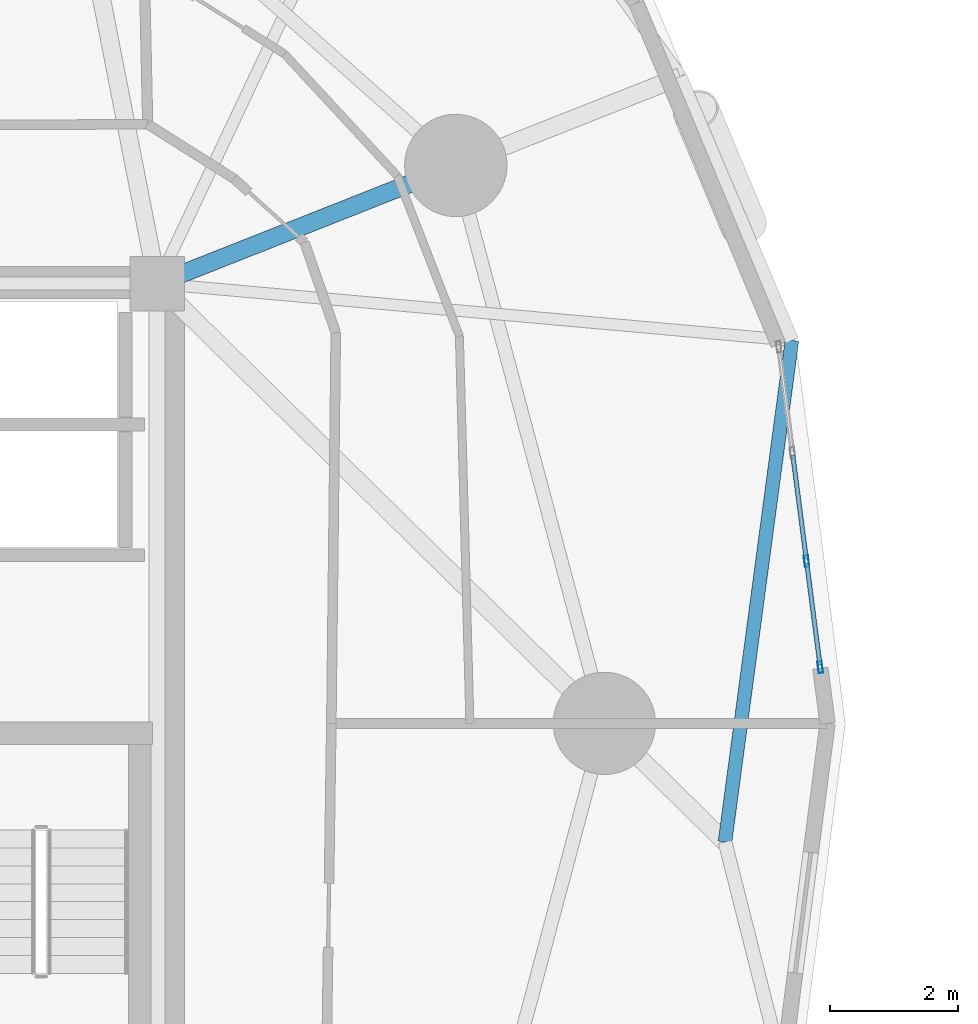
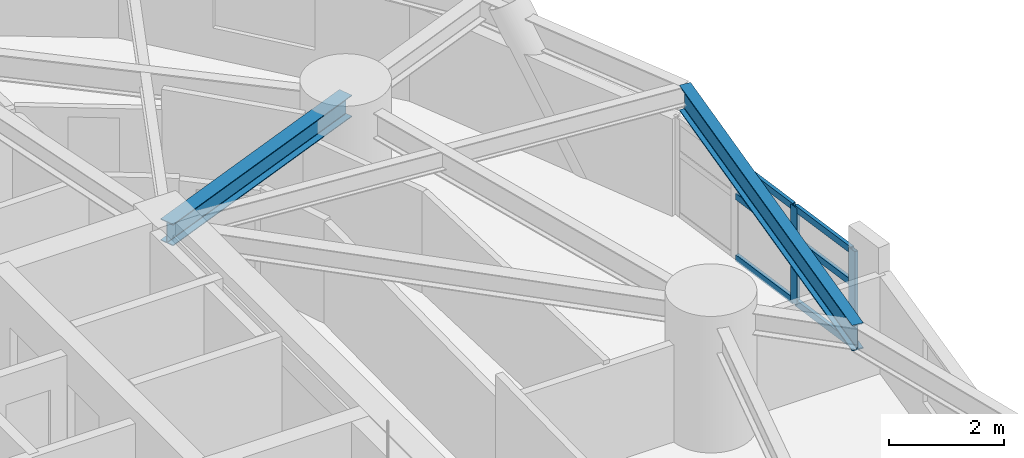
# One storey, part 2 of 17: 8 members, 2 beams, 1 element without a shape of its own.
"""IFC4 building model written with IfcOpenShell, lengths in metres."""

from ifc_helpers import new_model, si_unit, direction, frame, origin, origin_2d, place, context, subcontext, project, spatial, hollow_rectangle, i_section, extrude, material, layer, layer_set, material_profile, profile_set, type_object, element, aggregate, save


model = new_model("IFC4")

# Units and contexts
model_context = context("Model", 3, precision=1e-05, world=origin(), true_north=direction((0.0, 1.0)))
body_context = subcontext(model_context, "Body", "Model", "MODEL_VIEW")
ifc_project = project(units=[si_unit("LENGTHUNIT", "METRE"), si_unit("AREAUNIT", "SQUARE_METRE"), si_unit("VOLUMEUNIT", "CUBIC_METRE"), si_unit("PLANEANGLEUNIT", "RADIAN"), si_unit("MASSUNIT", "GRAM", prefix="KILO")], contexts=[model_context])

# Site, building, storey
site_placement = place(None, origin())
site = spatial("IfcSite", under=ifc_project, at=site_placement, CompositionType="ELEMENT")
building_placement = place(site_placement, origin())
building = spatial("IfcBuilding", under=site, at=building_placement, Name="Cununo Teusaquillo Station Towers", CompositionType="ELEMENT")
storey_placement = place(building_placement, frame((0.0, 0.0, 59.830078125)))
storey = spatial("IfcBuildingStorey", under=building, at=storey_placement, Name="L18", CompositionType="ELEMENT", Elevation=59.830078125)

# Beams
ifc_material_1 = material(Name="Steel ASTM A572 Grade 50", Category="steel")
ifc_material_profile_1 = material_profile(ifc_material_1, i_section(OverallWidth=0.280029296875, OverallDepth=0.462890625, WebThickness=0.0107421875, FlangeThickness=0.017333984375, FilletRadius=0.013916015625, at=origin_2d()), Name="W18X76")
ifc_profile_set_1 = profile_set([ifc_material_profile_1], Name="Steel ASTM A572 Grade 50")
beam_type_1 = type_object("IfcBeamType", Name="BM-RAD-G1", PredefinedType="BEAM", material=ifc_profile_set_1)
beam_1_placement = place(storey_placement, frame((21.675048828125, 31.3798828125, 2.41845703125), z_axis=(0.929864104313, 0.367903176814, 0.0), x_axis=(-0.367903176814, 0.929864104313, 0.0)))
element("IfcBeam", 1, at=beam_1_placement, inside=storey, type_object=beam_type_1, Name="L18 Tower A Radial Girder 02A", PredefinedType="BEAM", context=body_context, shape_type="SweptSolid", body=[
    extrude(i_section(OverallWidth=0.280029296875, OverallDepth=0.462890625, WebThickness=0.0107421875, FlangeThickness=0.017333984375, FilletRadius=0.013916015625, at=origin_2d()), origin(), (0.0, 0.0, 1.0), 5.02490234375),
])
ifc_material_2 = material(Name="Steel ASTM A572 Grade 50", Category="steel")
ifc_material_profile_2 = material_profile(ifc_material_2, i_section(OverallWidth=0.214111328125, OverallDepth=0.549072265625, WebThickness=0.0146484375, FlangeThickness=0.023681640625, FilletRadius=0.014892578125, at=origin_2d()), Name="W21X93")
ifc_profile_set_2 = profile_set([ifc_material_profile_2], Name="Steel ASTM A572 Grade 50")
beam_type_2 = type_object("IfcBeamType", Name="BM-RING-Z1", PredefinedType="SPANDREL", material=ifc_profile_set_2)
beam_2_placement = place(storey_placement, frame((30.558837890625, 22.644775390625, 2.37548828125), z_axis=(0.132240482179, 0.991217662712, 0.0), x_axis=(-0.991217662712, 0.132240482179, 0.0)))
element("IfcBeam", 2, at=beam_2_placement, inside=storey, type_object=beam_type_2, Name="L18 Tower A Spandrel Ring Beam 01", PredefinedType="SPANDREL", context=body_context, shape_type="SweptSolid", body=[
    extrude(i_section(OverallWidth=0.214111328125, OverallDepth=0.549072265625, WebThickness=0.0146484375, FlangeThickness=0.023681640625, FilletRadius=0.014892578125, at=origin_2d()), origin(), (0.0, 0.0, 1.0), 7.91650390625),
])

# Curtain wall, members
ifc_material_3 = material(Name="Operable acoustic tinted low-E double glazing", Category="glass")
ifc_layer = layer(ifc_material_3, 0.179931640625)
ifc_layer_set = layer_set([ifc_layer], Name="Operable acoustic tinted low-E double glazing")
curtain_wall_type = type_object("IfcCurtainWallType", Name="CW-SYS-03", PredefinedType="USERDEFINED", material=ifc_layer_set)
curtain_wall_placement = place(storey_placement, origin())
curtain_wall = element("IfcCurtainWall", 3, at=curtain_wall_placement, inside=storey, type_object=curtain_wall_type, Name="L18 Tower A Facade Curtain Wall C00", ObjectType="OPERABLE GLAZING", PredefinedType="USERDEFINED")
ifc_material_4 = material(Name="Anodised dark bronze aluminium EN AW-6063-T6", Category="aluminium")
ifc_material_profile_3 = material_profile(ifc_material_4, hollow_rectangle(XDim=0.070068359375, YDim=0.179931640625, WallThickness=0.00390625, at=origin_2d()), Name="CW-MULL-70x180")
ifc_profile_set_3 = profile_set([ifc_material_profile_3], Name="Anodised dark bronze aluminium EN AW-6063-T6")
member_type_1 = type_object("IfcMemberType", Name="CWM-180", PredefinedType="MULLION", material=ifc_profile_set_3)
member_1_placement = place(storey_placement, frame((31.834716796875, 27.03662109375, 0.0), z_axis=(0.0, 0.0, 1.0), x_axis=(0.99173073067, 0.128336112783, 0.0)))
member_1 = element("IfcMember", 4, at=member_1_placement, type_object=member_type_1, Name="CW-03 mullion 3", PredefinedType="MULLION", context=body_context, shape_type="SweptSolid", body=[
    extrude(hollow_rectangle(XDim=0.070068359375, YDim=0.179931640625, WallThickness=0.00390625, at=origin_2d()), origin(), (0.0, 0.0, 1.0), 2.072998046875),
])
member_2_placement = place(storey_placement, frame((32.04931640625, 25.377685546875, 0.0), z_axis=(0.0, 0.0, 1.0), x_axis=(0.99173073067, 0.128336112783, 0.0)))
member_2 = element("IfcMember", 5, at=member_2_placement, type_object=member_type_1, Name="CW-03 mullion 4", PredefinedType="MULLION", context=body_context, shape_type="SweptSolid", body=[
    extrude(hollow_rectangle(XDim=0.070068359375, YDim=0.179931640625, WallThickness=0.00390625, at=origin_2d()), origin(), (0.0, 0.0, 1.0), 2.072998046875),
])
ifc_material_5 = material(Name="Anodised dark bronze aluminium EN AW-6063-T6", Category="aluminium")
ifc_material_profile_4 = material_profile(ifc_material_5, hollow_rectangle(XDim=0.070068359375, YDim=0.139892578125, WallThickness=0.00390625, at=origin_2d()), Name="CW-TRAN-70x140")
ifc_profile_set_4 = profile_set([ifc_material_profile_4], Name="Anodised dark bronze aluminium EN AW-6063-T6")
member_type_2 = type_object("IfcMemberType", Name="CWT-140", PredefinedType="USERDEFINED", material=ifc_profile_set_4)
member_3_placement = place(storey_placement, frame((31.6201171875, 28.695556640625, 0.034912109375), z_axis=(0.128344982832, -0.99172958279, 0.0), x_axis=(0.99172958279, 0.128344982832, 0.0)))
member_3 = element("IfcMember", 6, at=member_3_placement, type_object=member_type_2, Name="CW-03 transom 2.1", ObjectType="TRANSOM", PredefinedType="USERDEFINED", context=body_context, shape_type="SweptSolid", body=[
    extrude(hollow_rectangle(XDim=0.070068359375, YDim=0.139892578125, WallThickness=0.00390625, at=origin_2d()), origin(), (0.0, 0.0, 1.0), 1.6376953125),
])
member_4_placement = place(storey_placement, frame((31.6201171875, 28.695556640625, 1.346923828125), z_axis=(0.128344982832, -0.99172958279, 0.0), x_axis=(0.99172958279, 0.128344982832, 0.0)))
member_4 = element("IfcMember", 7, at=member_4_placement, type_object=member_type_2, Name="CW-03 transom 2.2", ObjectType="TRANSOM", PredefinedType="USERDEFINED", context=body_context, shape_type="SweptSolid", body=[
    extrude(hollow_rectangle(XDim=0.070068359375, YDim=0.139892578125, WallThickness=0.00390625, at=origin_2d()), origin(), (0.0, 0.0, 1.0), 1.6376953125),
])
member_5_placement = place(storey_placement, frame((31.6201171875, 28.695556640625, 2.037841796875), z_axis=(0.128344982832, -0.99172958279, 0.0), x_axis=(0.99172958279, 0.128344982832, 0.0)))
member_5 = element("IfcMember", 8, at=member_5_placement, type_object=member_type_2, Name="CW-03 transom 2.3", ObjectType="TRANSOM", PredefinedType="USERDEFINED", context=body_context, shape_type="SweptSolid", body=[
    extrude(hollow_rectangle(XDim=0.070068359375, YDim=0.139892578125, WallThickness=0.00390625, at=origin_2d()), origin(), (0.0, 0.0, 1.0), 1.6376953125),
])
member_6_placement = place(storey_placement, frame((31.839111328125, 27.001953125, 0.034912109375), z_axis=(0.128401455372, -0.991722272745, 0.0), x_axis=(0.991722272745, 0.128401455372, 0.0)))
member_6 = element("IfcMember", 9, at=member_6_placement, type_object=member_type_2, Name="CW-03 transom 3.1", ObjectType="TRANSOM", PredefinedType="USERDEFINED", context=body_context, shape_type="SweptSolid", body=[
    extrude(hollow_rectangle(XDim=0.070068359375, YDim=0.139892578125, WallThickness=0.00390625, at=origin_2d()), origin(), (0.0, 0.0, 1.0), 1.602783203125),
])
member_7_placement = place(storey_placement, frame((31.839111328125, 27.001953125, 1.346923828125), z_axis=(0.128401455372, -0.991722272745, 0.0), x_axis=(0.991722272745, 0.128401455372, 0.0)))
member_7 = element("IfcMember", 10, at=member_7_placement, type_object=member_type_2, Name="CW-03 transom 3.2", ObjectType="TRANSOM", PredefinedType="USERDEFINED", context=body_context, shape_type="SweptSolid", body=[
    extrude(hollow_rectangle(XDim=0.070068359375, YDim=0.139892578125, WallThickness=0.00390625, at=origin_2d()), origin(), (0.0, 0.0, 1.0), 1.602783203125),
])
member_8_placement = place(storey_placement, frame((31.839111328125, 27.001953125, 2.037841796875), z_axis=(0.128401455372, -0.991722272745, 0.0), x_axis=(0.991722272745, 0.128401455372, 0.0)))
member_8 = element("IfcMember", 11, at=member_8_placement, type_object=member_type_2, Name="CW-03 transom 3.3", ObjectType="TRANSOM", PredefinedType="USERDEFINED", context=body_context, shape_type="SweptSolid", body=[
    extrude(hollow_rectangle(XDim=0.070068359375, YDim=0.139892578125, WallThickness=0.00390625, at=origin_2d()), origin(), (0.0, 0.0, 1.0), 1.602783203125),
])
aggregate(curtain_wall, [member_1, member_2, member_3, member_4, member_5, member_6, member_7, member_8])

save(model, "model.ifc")
